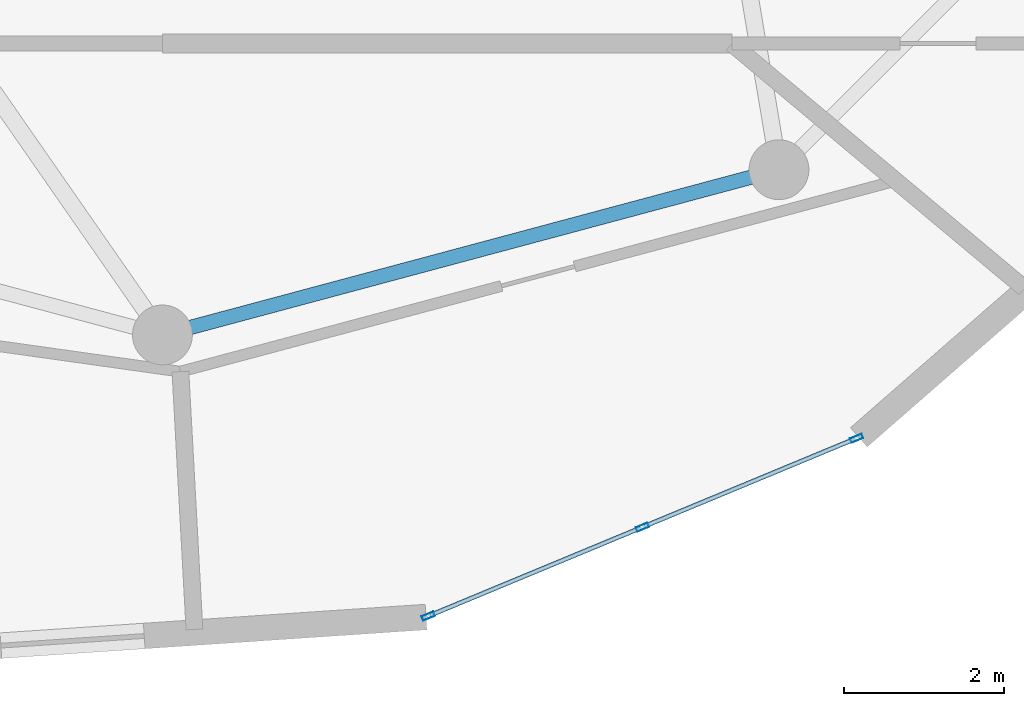
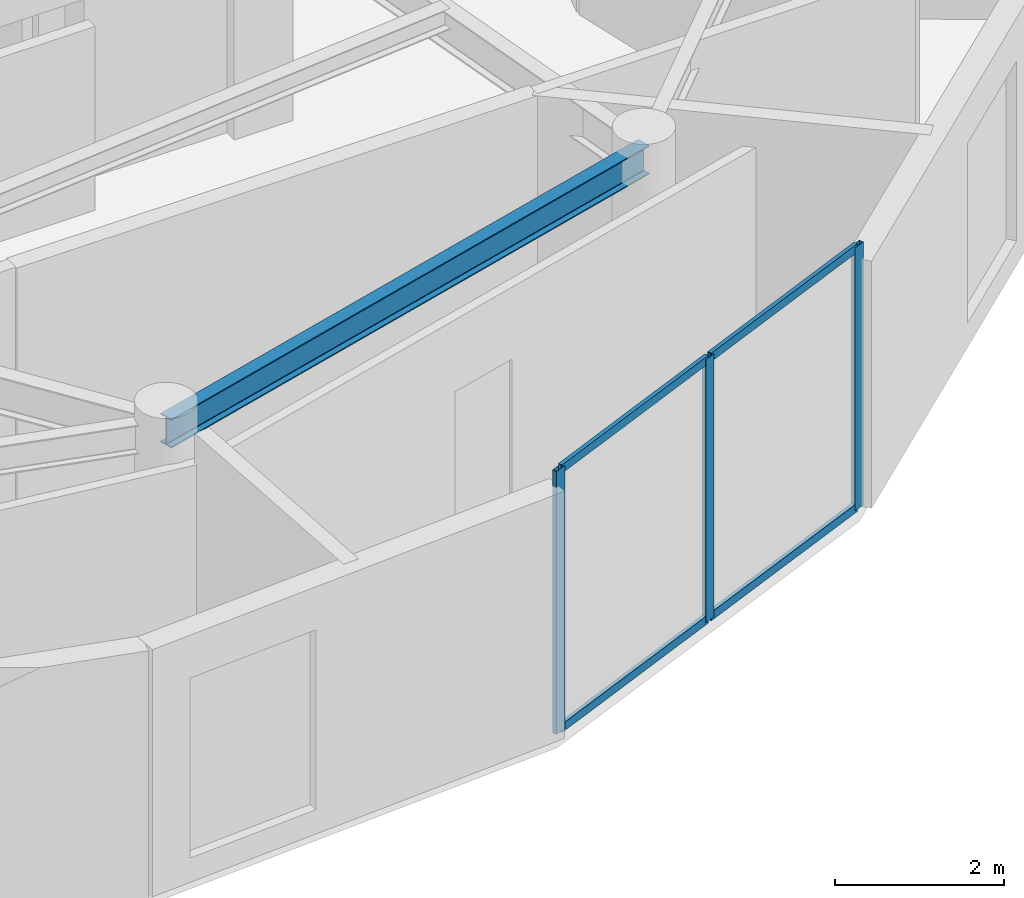
# One storey, part 4 of 17: 7 members, 1 beam, 1 element without a shape of its own.
"""IFC4 building model written with IfcOpenShell, lengths in metres."""

from ifc_helpers import new_model, si_unit, direction, frame, origin, origin_2d, place, context, subcontext, project, spatial, hollow_rectangle, i_section, extrude, source, transform, mapped, material, layer, layer_set, material_profile, profile_set, type_object, element, aggregate, save


model = new_model("IFC4")

# Units and contexts
model_context = context("Model", 3, precision=1e-05, world=origin(), true_north=direction((0.0, 1.0)))
body_context = subcontext(model_context, "Body", "Model", "MODEL_VIEW")
ifc_project = project(units=[si_unit("LENGTHUNIT", "METRE"), si_unit("AREAUNIT", "SQUARE_METRE"), si_unit("VOLUMEUNIT", "CUBIC_METRE"), si_unit("PLANEANGLEUNIT", "RADIAN"), si_unit("MASSUNIT", "GRAM", prefix="KILO")], contexts=[model_context])

# Site, building, storey
site_placement = place(None, origin())
site = spatial("IfcSite", under=ifc_project, at=site_placement, CompositionType="ELEMENT")
building_placement = place(site_placement, origin())
building = spatial("IfcBuilding", under=site, at=building_placement, Name="Solvirekh Grand Hotel", CompositionType="ELEMENT")
storey_placement = place(building_placement, frame((0.0, 0.0, 246.800048828125)))
storey = spatial("IfcBuildingStorey", under=building, at=storey_placement, Name="L64", CompositionType="ELEMENT", Elevation=246.800048828125)

# Beam
ifc_material_1 = material(Name="Steel S355", Category="steel")
ifc_material_profile_1 = material_profile(ifc_material_1, i_section(OverallWidth=0.180908203125, OverallDepth=0.4169921875, WebThickness=0.010009765625, FlangeThickness=0.01611328125, FilletRadius=0.011962890625, at=origin_2d()), Name="W410X85")
ifc_profile_set_1 = profile_set([ifc_material_profile_1], Name="Steel S355")
beam_type = type_object("IfcBeamType", Name="Spandrel_Ring_W410", PredefinedType="SPANDREL", material=ifc_profile_set_1)
beam_placement = place(storey_placement, frame((0.0, -15.449951171875, 3.362060546875), z_axis=(0.965921616143, 0.258834757072, 0.0), x_axis=(-0.258834757072, 0.965921616143, 0.0)))
element("IfcBeam", 1, at=beam_placement, inside=storey, type_object=beam_type, Name="L64 perimeter spandrel beam 10", PredefinedType="SPANDREL", context=body_context, shape_type="SweptSolid", body=[
    extrude(i_section(OverallWidth=0.180908203125, OverallDepth=0.4169921875, WebThickness=0.010009765625, FlangeThickness=0.01611328125, FilletRadius=0.011962890625, at=origin_2d()), origin(), (0.0, 0.0, 1.0), 7.99755859375),
])

# Curtain wall, members
ifc_material_2 = material(Name="Anodized Bronze Aluminium 6063-T6", Category="aluminium")
ifc_layer = layer(ifc_material_2, 0.159912109375)
ifc_layer_set = layer_set([ifc_layer], Name="Anodized Bronze Aluminium 6063-T6")
curtain_wall_type = type_object("IfcCurtainWallType", Name="CW_Sys4_HighZoneFlushBronzeCW", PredefinedType="NOTDEFINED", material=ifc_layer_set)
curtain_wall_placement = place(storey_placement, origin())
curtain_wall = element("IfcCurtainWall", 2, at=curtain_wall_placement, inside=storey, type_object=curtain_wall_type, Name="L64 unitised bronze-glass curtain wall CW-L64-C01", PredefinedType="NOTDEFINED")
ifc_material_profile_2 = material_profile(ifc_material_2, hollow_rectangle(XDim=0.06005859375, YDim=0.159912109375, WallThickness=0.0048828125, at=origin_2d()), Name="ALU RHS 160X60X5")
ifc_profile_set_2 = profile_set([ifc_material_profile_2], Name="Anodized Bronze Aluminium 6063-T6")
member_type_1 = type_object("IfcMemberType", Name="CWMullion_Sys4", PredefinedType="MULLION", material=ifc_profile_set_2)
shared_shape_1 = source(origin(), body_context, "Body", "SweptSolid", [
    extrude(hollow_rectangle(XDim=0.06005859375, YDim=0.159912109375, WallThickness=0.0048828125, at=origin_2d()), origin(), (0.0, 0.0, 1.0), 3.800048828125),
])
member_1_placement = place(storey_placement, frame((3.330810546875, -18.973388671875, 0.0), z_axis=(0.0, 0.0, 1.0), x_axis=(-0.383514713871, 0.923534766126, 0.0)))
member_1 = element("IfcMember", 3, at=member_1_placement, type_object=member_type_1, Name="U04 mullion 1", PredefinedType="MULLION", context=body_context, shape_type="MappedRepresentation", body=[
    mapped(shared_shape_1, transform((0.0, 0.0, 0.0), x_axis=(1.0, 0.0, 0.0), y_axis=(0.0, 1.0, 0.0), z_axis=(0.0, 0.0, 1.0), scale=1.0)),
])
member_2_placement = place(storey_placement, frame((6.014404296875, -17.85888671875, 0.0), z_axis=(0.0, 0.0, 1.0), x_axis=(-0.383514713871, 0.923534766126, 0.0)))
member_2 = element("IfcMember", 4, at=member_2_placement, type_object=member_type_1, Name="U04 mullion 2", PredefinedType="MULLION", context=body_context, shape_type="MappedRepresentation", body=[
    mapped(shared_shape_1, transform((0.0, 0.0, 0.0), x_axis=(1.0, 0.0, 0.0), y_axis=(0.0, 1.0, 0.0), z_axis=(0.0, 0.0, 1.0), scale=1.0)),
])
member_3_placement = place(storey_placement, frame((8.6982421875, -16.744384765625, 0.0), z_axis=(0.0, 0.0, 1.0), x_axis=(-0.383514713871, 0.923534766126, 0.0)))
member_3 = element("IfcMember", 5, at=member_3_placement, type_object=member_type_1, Name="U04 mullion 3", PredefinedType="MULLION", context=body_context, shape_type="MappedRepresentation", body=[
    mapped(shared_shape_1, transform((0.0, 0.0, 0.0), x_axis=(1.0, 0.0, 0.0), y_axis=(0.0, 1.0, 0.0), z_axis=(0.0, 0.0, 1.0), scale=1.0)),
])
ifc_material_profile_3 = material_profile(ifc_material_2, hollow_rectangle(XDim=0.054931640625, YDim=0.1201171875, WallThickness=0.00390625, at=origin_2d()), Name="ALU RHS 120X55X4")
ifc_profile_set_3 = profile_set([ifc_material_profile_3], Name="Anodized Bronze Aluminium 6063-T6")
member_type_2 = type_object("IfcMemberType", Name="CWTransom_Sys4", PredefinedType="USERDEFINED", material=ifc_profile_set_3)
shared_shape_2 = source(origin(), body_context, "Body", "SweptSolid", [
    extrude(hollow_rectangle(XDim=0.054931640625, YDim=0.1201171875, WallThickness=0.00390625, at=origin_2d()), origin(), (0.0, 0.0, 1.0), 2.845947265625),
])
member_4_placement = place(storey_placement, frame((3.3583984375, -18.9619140625, 0.02734375), z_axis=(0.923558419422, 0.383457749844, 0.0), x_axis=(-0.383457749844, 0.923558419422, 0.0)))
member_4 = element("IfcMember", 6, at=member_4_placement, type_object=member_type_2, Name="U04 transom 1.1", ObjectType="TRANSOM", PredefinedType="USERDEFINED", context=body_context, shape_type="MappedRepresentation", body=[
    mapped(shared_shape_2, transform((0.0, 0.0, 0.0), x_axis=(1.0, 0.0, 0.0), y_axis=(0.0, 1.0, 0.0), z_axis=(0.0, 0.0, 1.0), scale=1.0)),
])
member_5_placement = place(storey_placement, frame((3.3583984375, -18.9619140625, 3.7724609375), z_axis=(0.923558419422, 0.383457749844, 0.0), x_axis=(-0.383457749844, 0.923558419422, 0.0)))
member_5 = element("IfcMember", 7, at=member_5_placement, type_object=member_type_2, Name="U04 transom 1.2", ObjectType="TRANSOM", PredefinedType="USERDEFINED", context=body_context, shape_type="MappedRepresentation", body=[
    mapped(shared_shape_2, transform((0.0, 0.0, 0.0), x_axis=(1.0, 0.0, 0.0), y_axis=(0.0, 1.0, 0.0), z_axis=(0.0, 0.0, 1.0), scale=1.0)),
])
member_6_placement = place(storey_placement, frame((6.042236328125, -17.847412109375, 0.02734375), z_axis=(0.923558419422, 0.383457749844, 0.0), x_axis=(-0.383457749844, 0.923558419422, 0.0)))
member_6 = element("IfcMember", 8, at=member_6_placement, type_object=member_type_2, Name="U04 transom 2.1", ObjectType="TRANSOM", PredefinedType="USERDEFINED", context=body_context, shape_type="MappedRepresentation", body=[
    mapped(shared_shape_2, transform((0.0, 0.0, 0.0), x_axis=(1.0, 0.0, 0.0), y_axis=(0.0, 1.0, 0.0), z_axis=(0.0, 0.0, 1.0), scale=1.0)),
])
member_7_placement = place(storey_placement, frame((6.042236328125, -17.847412109375, 3.7724609375), z_axis=(0.923558419422, 0.383457749844, 0.0), x_axis=(-0.383457749844, 0.923558419422, 0.0)))
member_7 = element("IfcMember", 9, at=member_7_placement, type_object=member_type_2, Name="U04 transom 2.2", ObjectType="TRANSOM", PredefinedType="USERDEFINED", context=body_context, shape_type="MappedRepresentation", body=[
    mapped(shared_shape_2, transform((0.0, 0.0, 0.0), x_axis=(1.0, 0.0, 0.0), y_axis=(0.0, 1.0, 0.0), z_axis=(0.0, 0.0, 1.0), scale=1.0)),
])
aggregate(curtain_wall, [member_1, member_2, member_3, member_4, member_5, member_6, member_7])

save(model, "model.ifc")
